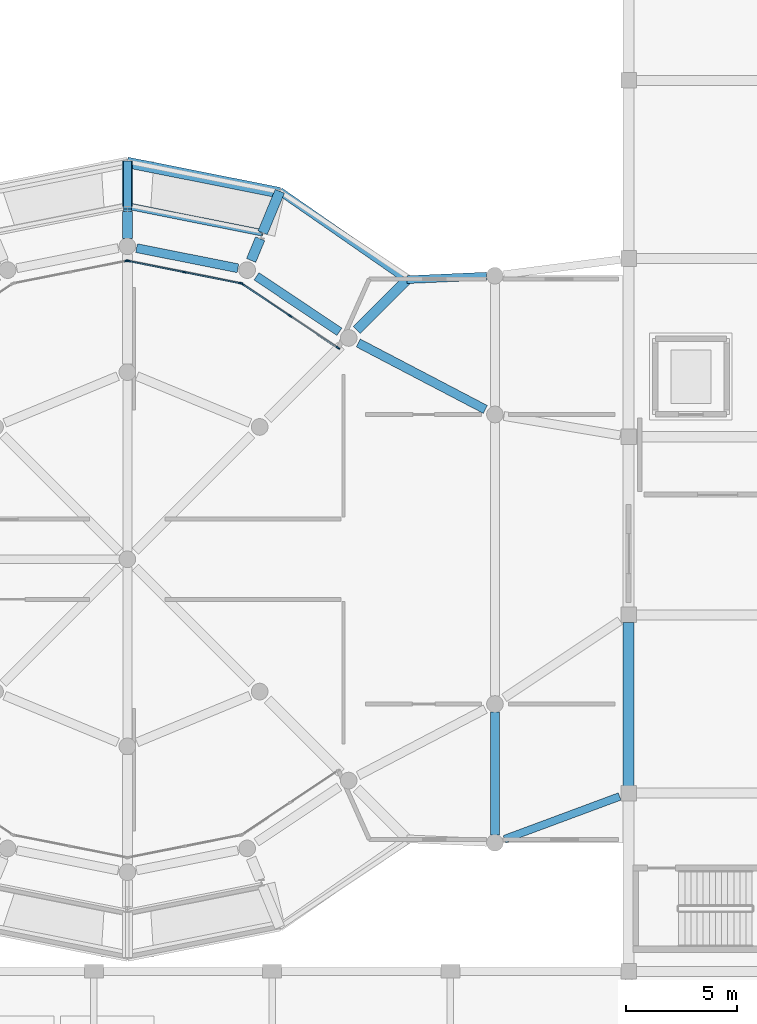
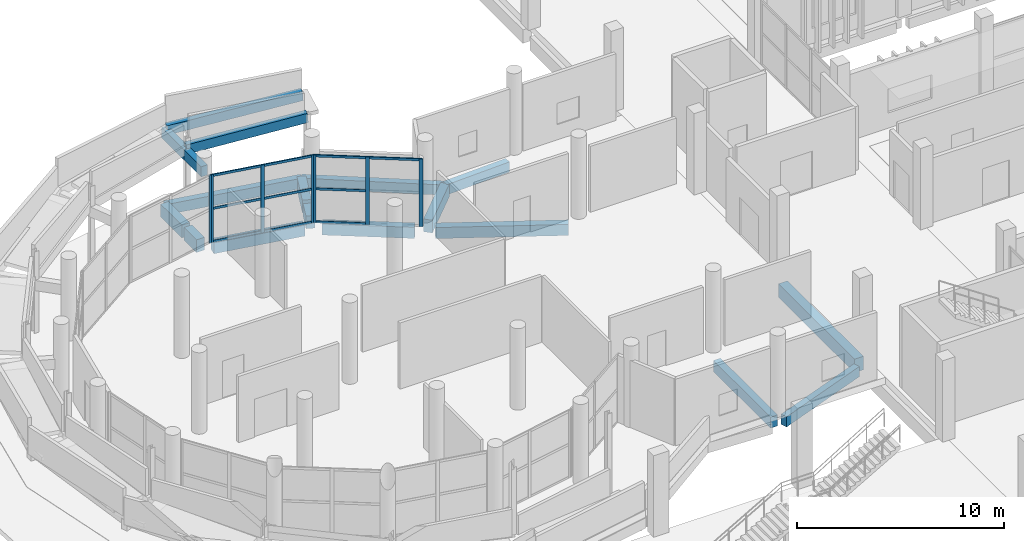
# One storey, part 33 of 117: 18 beams, 17 members, 3 elements without a shape of their own.
"""IFC4 building model written with IfcOpenShell, lengths in metres."""

from ifc_helpers import new_model, si_unit, direction, frame, origin, origin_2d, place, context, subcontext, project, spatial, rectangle, extrude, material, layer, layer_set, material_profile, profile_set, type_object, element, aggregate, save


model = new_model("IFC4")

# Units and contexts
model_context = context("Model", 3, precision=1e-05, world=origin(), true_north=direction((0.0, 1.0)))
body_context = subcontext(model_context, "Body", "Model", "MODEL_VIEW")
ifc_project = project(units=[si_unit("LENGTHUNIT", "METRE"), si_unit("AREAUNIT", "SQUARE_METRE"), si_unit("VOLUMEUNIT", "CUBIC_METRE"), si_unit("PLANEANGLEUNIT", "RADIAN"), si_unit("MASSUNIT", "GRAM", prefix="KILO")], contexts=[model_context])

# Site, building, storey
site_placement = place(None, origin())
site = spatial("IfcSite", under=ifc_project, at=site_placement, CompositionType="ELEMENT")
building_placement = place(site_placement, origin())
building = spatial("IfcBuilding", under=site, at=building_placement, Name="Jelvoka-Kovrelna Polytechnic", CompositionType="ELEMENT")
storey_placement = place(building_placement, origin())
storey = spatial("IfcBuildingStorey", under=building, at=storey_placement, Name="L01", CompositionType="ELEMENT", Elevation=0.0)

# Beams
ifc_material_1 = material(Name="Concrete C35/45", Category="concrete")
ifc_material_profile_1 = material_profile(ifc_material_1, rectangle(XDim=0.35009765625, YDim=0.60009765625, at=origin_2d()), Name="RC 350x600")
ifc_profile_set_1 = profile_set([ifc_material_profile_1], Name="Concrete C35/45")
beam_type_1 = type_object("IfcBeamType", Name="Beam_RC_350x600", PredefinedType="BEAM", material=ifc_profile_set_1)
beam_1_placement = place(storey_placement, frame((25.5, 56.550048828125, 3.794921875), z_axis=(0.0, 1.0, 0.0), x_axis=(-1.0, 0.0, 0.0)))
element("IfcBeam", 1, at=beam_1_placement, inside=storey, type_object=beam_type_1, Name="L01 spiral ramp inner tie beam 1.2", PredefinedType="BEAM", context=body_context, shape_type="SweptSolid", body=[
    extrude(rectangle(XDim=0.35009765625, YDim=0.60009765625, at=origin_2d()), origin(), (0.0, 0.0, 1.0), 1.669921875),
])
beam_2_placement = place(storey_placement, frame((25.5, 58.219970703125, 3.794921875), z_axis=(0.0, 1.0, 0.0), x_axis=(-1.0, 0.0, 0.0)))
element("IfcBeam", 2, at=beam_2_placement, inside=storey, type_object=beam_type_1, Name="L01 spiral ramp cantilever bracket 1.2", PredefinedType="BEAM", context=body_context, shape_type="SweptSolid", body=[
    extrude(rectangle(XDim=0.35009765625, YDim=0.60009765625, at=origin_2d()), origin(), (0.0, 0.0, 1.0), 2.159912109375),
])
ifc_material_2 = material(Name="Concrete C40/50", Category="concrete")
ifc_material_profile_2 = material_profile(ifc_material_2, rectangle(XDim=0.39990234375, YDim=0.64990234375, at=origin_2d()), Name="RC 400x650")
ifc_profile_set_2 = profile_set([ifc_material_profile_2], Name="Concrete C40/50")
beam_type_2 = type_object("IfcBeamType", Name="Beam_RC_400x650", PredefinedType="BEAM", material=ifc_profile_set_2)
beam_3_placement = place(storey_placement, frame((35.01904296875, 52.712890625, -0.72998046875), z_axis=(-0.831496756319, 0.55552960698, 0.0), x_axis=(-0.55552960698, -0.831496756319, 0.0)))
element("IfcBeam", 3, at=beam_3_placement, inside=storey, type_object=beam_type_2, Name="L01 beam 2337", PredefinedType="BEAM", context=body_context, shape_type="SweptSolid", body=[
    extrude(rectangle(XDim=0.39990234375, YDim=0.64990234375, at=origin_2d()), origin(), (0.0, 0.0, 1.0), 4.481689453125),
])
beam_4_placement = place(storey_placement, frame((30.4638671875, 55.5625, -0.72998046875), z_axis=(-0.980774461066, 0.195144706619, 0.0), x_axis=(-0.195144706619, -0.980774461066, 0.0)))
element("IfcBeam", 4, at=beam_4_placement, inside=storey, type_object=beam_type_2, Name="L01 beam 2338", PredefinedType="BEAM", context=body_context, shape_type="SweptSolid", body=[
    extrude(rectangle(XDim=0.39990234375, YDim=0.64990234375, at=origin_2d()), origin(), (0.0, 0.0, 1.0), 4.64013671875),
])
beam_5_placement = place(storey_placement, frame((35.865478515625, 52.20947265625, -0.72998046875), z_axis=(0.886061545801, -0.463567618642, 0.0), x_axis=(0.463567618642, 0.886061545801, 0.0)))
element("IfcBeam", 5, at=beam_5_placement, inside=storey, type_object=beam_type_2, Name="L01 beam 2389", PredefinedType="BEAM", context=body_context, shape_type="SweptSolid", body=[
    extrude(rectangle(XDim=0.39990234375, YDim=0.64990234375, at=origin_2d()), origin(), (0.0, 0.0, 1.0), 6.437255859375),
])
beam_6_placement = place(storey_placement, frame((42.0, 30.127197265625, -0.72998046875), z_axis=(0.0, 1.0, 0.0), x_axis=(-1.0, 0.0, 0.0)))
element("IfcBeam", 6, at=beam_6_placement, inside=storey, type_object=beam_type_2, Name="L01 beam 2393", PredefinedType="BEAM", context=body_context, shape_type="SweptSolid", body=[
    extrude(rectangle(XDim=0.39990234375, YDim=0.64990234375, at=origin_2d()), origin(), (0.0, 0.0, 1.0), 5.517822265625),
])
ifc_material_3 = material(Name="Concrete C40/50", Category="concrete")
ifc_material_profile_3 = material_profile(ifc_material_3, rectangle(XDim=0.449951171875, YDim=0.75, at=origin_2d()), Name="RC 450x750")
ifc_profile_set_3 = profile_set([ifc_material_profile_3], Name="Concrete C40/50")
beam_type_3 = type_object("IfcBeamType", Name="Beam_RC_450x750", PredefinedType="BEAM", material=ifc_profile_set_3)
beam_7_placement = place(storey_placement, frame((35.7958984375, 52.7958984375, -0.780029296875), z_axis=(0.707106781187, 0.707106781187, 0.0), x_axis=(-0.707106781187, 0.707106781187, 0.0)))
element("IfcBeam", 7, at=beam_7_placement, inside=storey, type_object=beam_type_3, Name="L01 beam 2349", PredefinedType="BEAM", context=body_context, shape_type="SweptSolid", body=[
    extrude(rectangle(XDim=0.449951171875, YDim=0.75, at=origin_2d()), origin(), (0.0, 0.0, 1.0), 3.189208984375),
])
beam_8_placement = place(storey_placement, frame((31.056396484375, 55.914794921875, -0.780029296875), z_axis=(0.382822216634, 0.923822033971, 0.0), x_axis=(-0.923822033971, 0.382822216634, 0.0)))
element("IfcBeam", 8, at=beam_8_placement, inside=storey, type_object=beam_type_3, Name="L01 beam 2350", PredefinedType="BEAM", context=body_context, shape_type="SweptSolid", body=[
    extrude(rectangle(XDim=0.449951171875, YDim=0.75, at=origin_2d()), origin(), (0.0, 0.0, 1.0), 1.05419921875),
])
beam_9_placement = place(storey_placement, frame((31.571533203125, 57.158203125, -0.780029296875), z_axis=(0.38266938507, 0.923885350966, 0.0), x_axis=(-0.923885350966, 0.38266938507, 0.0)))
element("IfcBeam", 9, at=beam_9_placement, inside=storey, type_object=beam_type_3, Name="L01 beam 2351", PredefinedType="BEAM", context=body_context, shape_type="SweptSolid", body=[
    extrude(rectangle(XDim=0.449951171875, YDim=0.75, at=origin_2d()), origin(), (0.0, 0.0, 1.0), 2.01416015625),
])
beam_10_placement = place(storey_placement, frame((25.5, 56.905029296875, -0.780029296875), z_axis=(0.0, 1.0, 0.0), x_axis=(-1.0, 0.0, 0.0)))
element("IfcBeam", 10, at=beam_10_placement, inside=storey, type_object=beam_type_3, Name="L01 beam 2352", PredefinedType="BEAM", context=body_context, shape_type="SweptSolid", body=[
    extrude(rectangle(XDim=0.449951171875, YDim=0.75, at=origin_2d()), origin(), (0.0, 0.0, 1.0), 1.2080078125),
])
beam_11_placement = place(storey_placement, frame((25.5, 58.326904296875, -0.780029296875), z_axis=(0.0, 1.0, 0.0), x_axis=(-1.0, 0.0, 0.0)))
element("IfcBeam", 11, at=beam_11_placement, inside=storey, type_object=beam_type_3, Name="L01 beam 2353", PredefinedType="BEAM", context=body_context, shape_type="SweptSolid", body=[
    extrude(rectangle(XDim=0.449951171875, YDim=0.75, at=origin_2d()), origin(), (0.0, 0.0, 1.0), 2.052978515625),
])
ifc_material_4 = material(Name="Concrete C40/50", Category="concrete")
ifc_material_profile_4 = material_profile(ifc_material_4, rectangle(XDim=0.5, YDim=0.800048828125, at=origin_2d()), Name="RC 500x800")
ifc_profile_set_4 = profile_set([ifc_material_profile_4], Name="Concrete C40/50")
beam_type_4 = type_object("IfcBeamType", Name="Beam_RC_500x800", PredefinedType="BEAM", material=ifc_profile_set_4)
beam_12_placement = place(storey_placement, frame((48.0, 32.330078125, -0.804931640625), z_axis=(0.0, 1.0, 0.0), x_axis=(-1.0, 0.0, 0.0)))
element("IfcBeam", 12, at=beam_12_placement, inside=storey, type_object=beam_type_4, Name="L01 beam 0531", PredefinedType="BEAM", context=body_context, shape_type="SweptSolid", body=[
    extrude(rectangle(XDim=0.5, YDim=0.800048828125, at=origin_2d()), origin(), (0.0, 0.0, 1.0), 7.33984375),
])

# Curtain wall, members
ifc_material_5 = material(Name="Anodised aluminium 6063-T6", Category="aluminium")
ifc_layer = layer(ifc_material_5, 0.179931640625)
ifc_layer_set = layer_set([ifc_layer], Name="Anodised aluminium 6063-T6")
curtain_wall_type = type_object("IfcCurtainWallType", Name="CW_Pavilion", PredefinedType="NOTDEFINED", material=ifc_layer_set)
curtain_wall_1_placement = place(storey_placement, origin())
curtain_wall_1 = element("IfcCurtainWall", 13, at=curtain_wall_1_placement, inside=storey, type_object=curtain_wall_type, Name="L01 glazed curtain wall 211", PredefinedType="NOTDEFINED")
ifc_material_6 = material(Name="Anodised aluminium 6063-T6", Category="aluminium")
ifc_material_profile_5 = material_profile(ifc_material_6, rectangle(XDim=0.06494140625, YDim=0.179931640625, at=origin_2d()), Name="ALU 65x180")
ifc_profile_set_5 = profile_set([ifc_material_profile_5], Name="Anodised aluminium 6063-T6")
member_type_1 = type_object("IfcMemberType", Name="Mullion_M-05", PredefinedType="MULLION", material=ifc_profile_set_5)
member_1_placement = place(storey_placement, frame((30.655029296875, 54.862060546875, -0.02490234375), z_axis=(0.0, 0.0, 1.0), x_axis=(0.555582639326, 0.83146132254, 0.0)))
member_1 = element("IfcMember", 14, at=member_1_placement, type_object=member_type_1, Name="CW-05 mullion 1", PredefinedType="MULLION", context=body_context, shape_type="SweptSolid", body=[
    extrude(rectangle(XDim=0.06494140625, YDim=0.179931640625, at=origin_2d()), origin(), (0.0, 0.0, 1.0), 4.0),
])
member_2_placement = place(storey_placement, frame((32.801513671875, 53.427490234375, -0.02490234375), z_axis=(0.0, 0.0, 1.0), x_axis=(0.555582639326, 0.83146132254, 0.0)))
member_2 = element("IfcMember", 15, at=member_2_placement, type_object=member_type_1, Name="CW-05 mullion 2", PredefinedType="MULLION", context=body_context, shape_type="SweptSolid", body=[
    extrude(rectangle(XDim=0.06494140625, YDim=0.179931640625, at=origin_2d()), origin(), (0.0, 0.0, 1.0), 4.0),
])
member_3_placement = place(storey_placement, frame((34.9482421875, 51.9931640625, -0.02490234375), z_axis=(0.0, 0.0, 1.0), x_axis=(0.555582639326, 0.83146132254, 0.0)))
member_3 = element("IfcMember", 16, at=member_3_placement, type_object=member_type_1, Name="CW-05 mullion 3", PredefinedType="MULLION", context=body_context, shape_type="SweptSolid", body=[
    extrude(rectangle(XDim=0.06494140625, YDim=0.179931640625, at=origin_2d()), origin(), (0.0, 0.0, 1.0), 4.0),
])

curtain_wall_2_placement = place(storey_placement, origin())
curtain_wall_2 = element("IfcCurtainWall", 17, at=curtain_wall_2_placement, inside=storey, type_object=curtain_wall_type, Name="L01 glazed curtain wall 212", PredefinedType="NOTDEFINED")
member_4_placement = place(storey_placement, frame((25.531982421875, 55.8935546875, -0.02490234375), z_axis=(0.0, 0.0, 1.0), x_axis=(0.195086160371, 0.980786108197, 0.0)))
member_4 = element("IfcMember", 18, at=member_4_placement, type_object=member_type_1, Name="CW-05 mullion 1", PredefinedType="MULLION", context=body_context, shape_type="SweptSolid", body=[
    extrude(rectangle(XDim=0.06494140625, YDim=0.179931640625, at=origin_2d()), origin(), (0.0, 0.0, 1.0), 4.0),
])
member_5_placement = place(storey_placement, frame((28.06396484375, 55.389892578125, -0.02490234375), z_axis=(0.0, 0.0, 1.0), x_axis=(0.195086160371, 0.980786108197, 0.0)))
member_5 = element("IfcMember", 19, at=member_5_placement, type_object=member_type_1, Name="CW-05 mullion 2", PredefinedType="MULLION", context=body_context, shape_type="SweptSolid", body=[
    extrude(rectangle(XDim=0.06494140625, YDim=0.179931640625, at=origin_2d()), origin(), (0.0, 0.0, 1.0), 4.0),
])
member_6_placement = place(storey_placement, frame((30.59619140625, 54.88623046875, -0.02490234375), z_axis=(0.0, 0.0, 1.0), x_axis=(0.195086160371, 0.980786108197, 0.0)))
member_6 = element("IfcMember", 20, at=member_6_placement, type_object=member_type_1, Name="CW-05 mullion 3", PredefinedType="MULLION", context=body_context, shape_type="SweptSolid", body=[
    extrude(rectangle(XDim=0.06494140625, YDim=0.179931640625, at=origin_2d()), origin(), (0.0, 0.0, 1.0), 4.0),
])

# Curtain wall, member
curtain_wall_3_placement = place(storey_placement, origin())
curtain_wall_3 = element("IfcCurtainWall", 21, at=curtain_wall_3_placement, inside=storey, type_object=curtain_wall_type, Name="L01 glazed curtain wall 213", PredefinedType="NOTDEFINED")
member_7_placement = place(storey_placement, frame((25.468017578125, 55.8935546875, -0.02490234375), z_axis=(0.0, 0.0, 1.0), x_axis=(-0.195086160371, 0.980786108197, 0.0)))
member_7 = element("IfcMember", 22, at=member_7_placement, type_object=member_type_1, Name="CW-05 mullion 3", PredefinedType="MULLION", context=body_context, shape_type="SweptSolid", body=[
    extrude(rectangle(XDim=0.06494140625, YDim=0.179931640625, at=origin_2d()), origin(), (0.0, 0.0, 1.0), 4.0),
])
aggregate(curtain_wall_3, [member_7])

# Beams
ifc_material_7 = material(Name="Concrete C40/50", Category="concrete")
ifc_material_profile_6 = material_profile(ifc_material_7, rectangle(XDim=0.300048828125, YDim=0.550048828125, at=origin_2d()), Name="RC 300x550")
ifc_profile_set_6 = profile_set([ifc_material_profile_6], Name="Concrete C40/50")
beam_type_5 = type_object("IfcBeamType", Name="Spandrel_RC_300x550", PredefinedType="SPANDREL", material=ifc_profile_set_6)
beam_13_placement = place(storey_placement, frame((25.5, 60.219970703125, 4.044921875), z_axis=(0.978430417341, -0.194622265834, 0.069253823462), x_axis=(0.195090664524, 0.980785212274, 0.0)))
element("IfcBeam", 23, at=beam_13_placement, inside=storey, type_object=beam_type_5, Name="L01 spiral ramp curved outer stringer 1.2", PredefinedType="SPANDREL", context=body_context, shape_type="SweptSolid", body=[
    extrude(rectangle(XDim=0.300048828125, YDim=0.550048828125, at=origin_2d()), origin(), (0.0, 0.0, 1.0), 6.9306640625),
])
beam_14_placement = place(storey_placement, frame((25.5, 58.360107421875, 4.044921875), z_axis=(0.977840520324, -0.194545422909, 0.07733042892), x_axis=(0.195129735209, 0.980777439808, 0.0)))
element("IfcBeam", 24, at=beam_14_placement, inside=storey, type_object=beam_type_5, Name="L01 spiral ramp curved inner stringer 1.2", PredefinedType="SPANDREL", context=body_context, shape_type="SweptSolid", body=[
    extrude(rectangle(XDim=0.300048828125, YDim=0.550048828125, at=origin_2d()), origin(), (0.0, 0.0, 1.0), 6.206787109375),
])
ifc_material_8 = material(Name="Concrete C40/50", Category="concrete")
ifc_material_profile_7 = material_profile(ifc_material_8, rectangle(XDim=0.35009765625, YDim=0.60009765625, at=origin_2d()), Name="RC 350x600")
ifc_profile_set_7 = profile_set([ifc_material_profile_7], Name="Concrete C40/50")
beam_type_6 = type_object("IfcBeamType", Name="Spandrel_RC_350x600", PredefinedType="SPANDREL", material=ifc_profile_set_7)
beam_15_placement = place(storey_placement, frame((38.051025390625, 55.051025390625, -0.705078125), z_axis=(-0.821126306312, 0.570746519116, 0.0), x_axis=(-0.570746519116, -0.821126306312, 0.0)))
element("IfcBeam", 25, at=beam_15_placement, inside=storey, type_object=beam_type_6, Name="L01 beam 2373", PredefinedType="SPANDREL", context=body_context, shape_type="SweptSolid", body=[
    extrude(rectangle(XDim=0.35009765625, YDim=0.60009765625, at=origin_2d()), origin(), (0.0, 0.0, 1.0), 6.952392578125),
])
beam_16_placement = place(storey_placement, frame((32.34228515625, 59.01904296875, -0.705078125), z_axis=(-0.98079008799, 0.19506615109, 0.0), x_axis=(-0.19506615109, -0.98079008799, 0.0)))
element("IfcBeam", 26, at=beam_16_placement, inside=storey, type_object=beam_type_6, Name="L01 beam 2374", PredefinedType="SPANDREL", context=body_context, shape_type="SweptSolid", body=[
    extrude(rectangle(XDim=0.35009765625, YDim=0.60009765625, at=origin_2d()), origin(), (0.0, 0.0, 1.0), 6.976318359375),
])
beam_17_placement = place(storey_placement, frame((38.051025390625, 55.051025390625, -0.705078125), z_axis=(0.998999645375, 0.04471810081, 0.0), x_axis=(-0.04471810081, 0.998999645375, 0.0)))
element("IfcBeam", 27, at=beam_17_placement, inside=storey, type_object=beam_type_6, Name="L01 beam 2385", PredefinedType="SPANDREL", context=body_context, shape_type="SweptSolid", body=[
    extrude(rectangle(XDim=0.35009765625, YDim=0.60009765625, at=origin_2d()), origin(), (0.0, 0.0, 1.0), 3.58154296875),
])
beam_18_placement = place(storey_placement, frame((42.43310546875, 29.932861328125, -0.705078125), z_axis=(0.937455441815, 0.348105292422, 0.0), x_axis=(-0.348105292422, 0.937455441815, 0.0)))
element("IfcBeam", 28, at=beam_18_placement, inside=storey, type_object=beam_type_6, Name="L01 beam 2388", PredefinedType="SPANDREL", context=body_context, shape_type="SweptSolid", body=[
    extrude(rectangle(XDim=0.35009765625, YDim=0.60009765625, at=origin_2d()), origin(), (0.0, 0.0, 1.0), 5.50830078125),
])

# Member
ifc_material_9 = material(Name="Anodised aluminium 6063-T6", Category="aluminium")
ifc_material_profile_8 = material_profile(ifc_material_9, rectangle(XDim=0.06494140625, YDim=0.135009765625, at=origin_2d()), Name="ALU 65x135")
ifc_profile_set_8 = profile_set([ifc_material_profile_8], Name="Anodised aluminium 6063-T6")
member_type_2 = type_object("IfcMemberType", Name="Transom_T-05", PredefinedType="USERDEFINED", material=ifc_profile_set_8)
member_8_placement = place(storey_placement, frame((30.68212890625, 54.843994140625, 0.032470703125), z_axis=(0.831422966795, -0.555640036612, 0.0), x_axis=(0.555640036612, 0.831422966795, 0.0)))
member_8 = element("IfcMember", 29, at=member_8_placement, type_object=member_type_2, Name="CW-05 transom 1.1", ObjectType="TRANSOM", PredefinedType="USERDEFINED", context=body_context, shape_type="SweptSolid", body=[
    extrude(rectangle(XDim=0.06494140625, YDim=0.135009765625, at=origin_2d()), origin(), (0.0, 0.0, 1.0), 2.516845703125),
])

member_9_placement = place(storey_placement, frame((30.68212890625, 54.843994140625, 1.97509765625), z_axis=(0.831422966795, -0.555640036612, 0.0), x_axis=(0.555640036612, 0.831422966795, 0.0)))
member_9 = element("IfcMember", 30, at=member_9_placement, type_object=member_type_2, Name="CW-05 transom 1.2", ObjectType="TRANSOM", PredefinedType="USERDEFINED", context=body_context, shape_type="SweptSolid", body=[
    extrude(rectangle(XDim=0.06494140625, YDim=0.135009765625, at=origin_2d()), origin(), (0.0, 0.0, 1.0), 2.516845703125),
])

member_10_placement = place(storey_placement, frame((30.68212890625, 54.843994140625, 3.91748046875), z_axis=(0.831422966795, -0.555640036612, 0.0), x_axis=(0.555640036612, 0.831422966795, 0.0)))
member_10 = element("IfcMember", 31, at=member_10_placement, type_object=member_type_2, Name="CW-05 transom 1.3", ObjectType="TRANSOM", PredefinedType="USERDEFINED", context=body_context, shape_type="SweptSolid", body=[
    extrude(rectangle(XDim=0.06494140625, YDim=0.135009765625, at=origin_2d()), origin(), (0.0, 0.0, 1.0), 2.516845703125),
])

member_11_placement = place(storey_placement, frame((32.82861328125, 53.409423828125, 3.91748046875), z_axis=(0.831467779718, -0.555572975667, 0.0), x_axis=(0.555572975667, 0.831467779718, 0.0)))
member_11 = element("IfcMember", 32, at=member_11_placement, type_object=member_type_2, Name="CW-05 transom 2.3", ObjectType="TRANSOM", PredefinedType="USERDEFINED", context=body_context, shape_type="SweptSolid", body=[
    extrude(rectangle(XDim=0.06494140625, YDim=0.135009765625, at=origin_2d()), origin(), (0.0, 0.0, 1.0), 2.5166015625),
])

aggregate(curtain_wall_1, [member_1, member_2, member_3, member_8, member_9, member_10, member_11])

member_12_placement = place(storey_placement, frame((25.563720703125, 55.88720703125, 0.032470703125), z_axis=(0.980789047023, -0.195071384983, 0.0), x_axis=(0.195071384983, 0.980789047023, 0.0)))
member_12 = element("IfcMember", 33, at=member_12_placement, type_object=member_type_2, Name="CW-05 transom 1.1", ObjectType="TRANSOM", PredefinedType="USERDEFINED", context=body_context, shape_type="SweptSolid", body=[
    extrude(rectangle(XDim=0.06494140625, YDim=0.135009765625, at=origin_2d()), origin(), (0.0, 0.0, 1.0), 2.516845703125),
])

member_13_placement = place(storey_placement, frame((25.563720703125, 55.88720703125, 1.97509765625), z_axis=(0.980789047023, -0.195071384983, 0.0), x_axis=(0.195071384983, 0.980789047023, 0.0)))
member_13 = element("IfcMember", 34, at=member_13_placement, type_object=member_type_2, Name="CW-05 transom 1.2", ObjectType="TRANSOM", PredefinedType="USERDEFINED", context=body_context, shape_type="SweptSolid", body=[
    extrude(rectangle(XDim=0.06494140625, YDim=0.135009765625, at=origin_2d()), origin(), (0.0, 0.0, 1.0), 2.516845703125),
])

member_14_placement = place(storey_placement, frame((25.563720703125, 55.88720703125, 3.91748046875), z_axis=(0.980789047023, -0.195071384983, 0.0), x_axis=(0.195071384983, 0.980789047023, 0.0)))
member_14 = element("IfcMember", 35, at=member_14_placement, type_object=member_type_2, Name="CW-05 transom 1.3", ObjectType="TRANSOM", PredefinedType="USERDEFINED", context=body_context, shape_type="SweptSolid", body=[
    extrude(rectangle(XDim=0.06494140625, YDim=0.135009765625, at=origin_2d()), origin(), (0.0, 0.0, 1.0), 2.516845703125),
])

member_15_placement = place(storey_placement, frame((28.095947265625, 55.383544921875, 0.032470703125), z_axis=(0.980785355287, -0.195089945547, 0.0), x_axis=(0.195089945547, 0.980785355287, 0.0)))
member_15 = element("IfcMember", 36, at=member_15_placement, type_object=member_type_2, Name="CW-05 transom 2.1", ObjectType="TRANSOM", PredefinedType="USERDEFINED", context=body_context, shape_type="SweptSolid", body=[
    extrude(rectangle(XDim=0.06494140625, YDim=0.135009765625, at=origin_2d()), origin(), (0.0, 0.0, 1.0), 2.5166015625),
])

member_16_placement = place(storey_placement, frame((28.095947265625, 55.383544921875, 1.97509765625), z_axis=(0.980785355287, -0.195089945547, 0.0), x_axis=(0.195089945547, 0.980785355287, 0.0)))
member_16 = element("IfcMember", 37, at=member_16_placement, type_object=member_type_2, Name="CW-05 transom 2.2", ObjectType="TRANSOM", PredefinedType="USERDEFINED", context=body_context, shape_type="SweptSolid", body=[
    extrude(rectangle(XDim=0.06494140625, YDim=0.135009765625, at=origin_2d()), origin(), (0.0, 0.0, 1.0), 2.5166015625),
])

member_17_placement = place(storey_placement, frame((28.095947265625, 55.383544921875, 3.91748046875), z_axis=(0.980785355287, -0.195089945547, 0.0), x_axis=(0.195089945547, 0.980785355287, 0.0)))
member_17 = element("IfcMember", 38, at=member_17_placement, type_object=member_type_2, Name="CW-05 transom 2.3", ObjectType="TRANSOM", PredefinedType="USERDEFINED", context=body_context, shape_type="SweptSolid", body=[
    extrude(rectangle(XDim=0.06494140625, YDim=0.135009765625, at=origin_2d()), origin(), (0.0, 0.0, 1.0), 2.5166015625),
])

aggregate(curtain_wall_2, [member_4, member_5, member_6, member_12, member_13, member_14, member_15, member_16, member_17])

save(model, "model.ifc")
